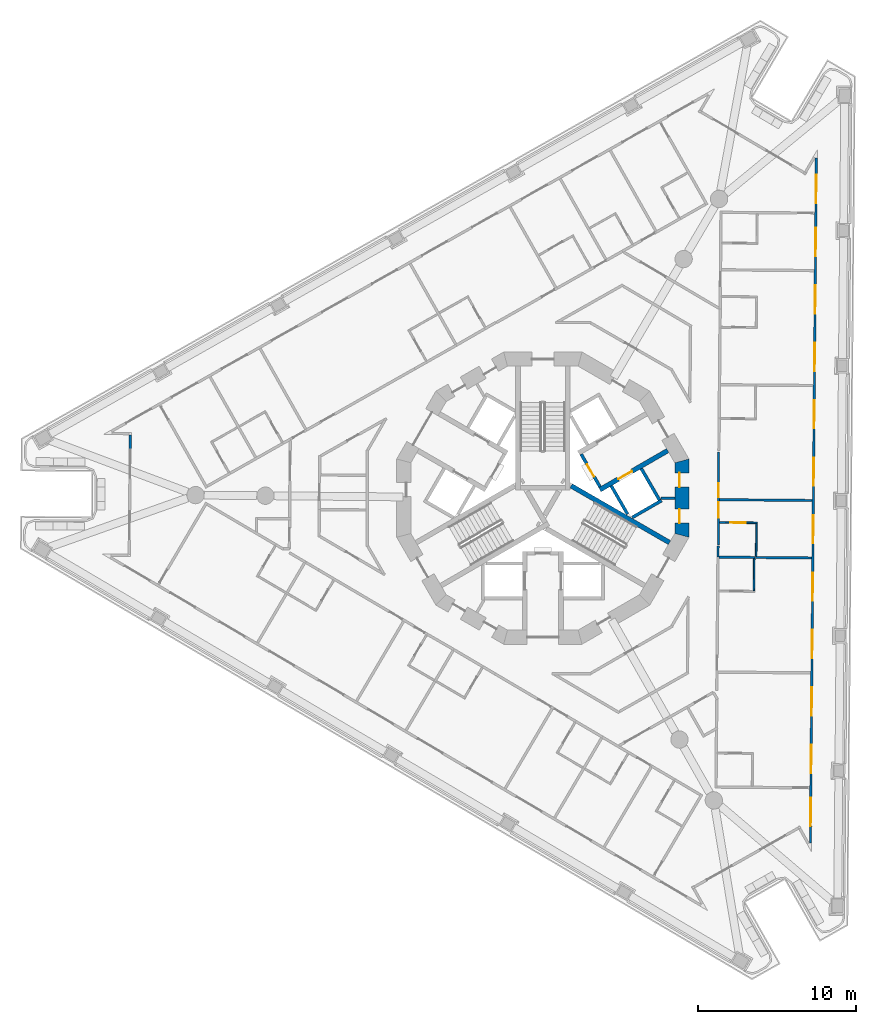
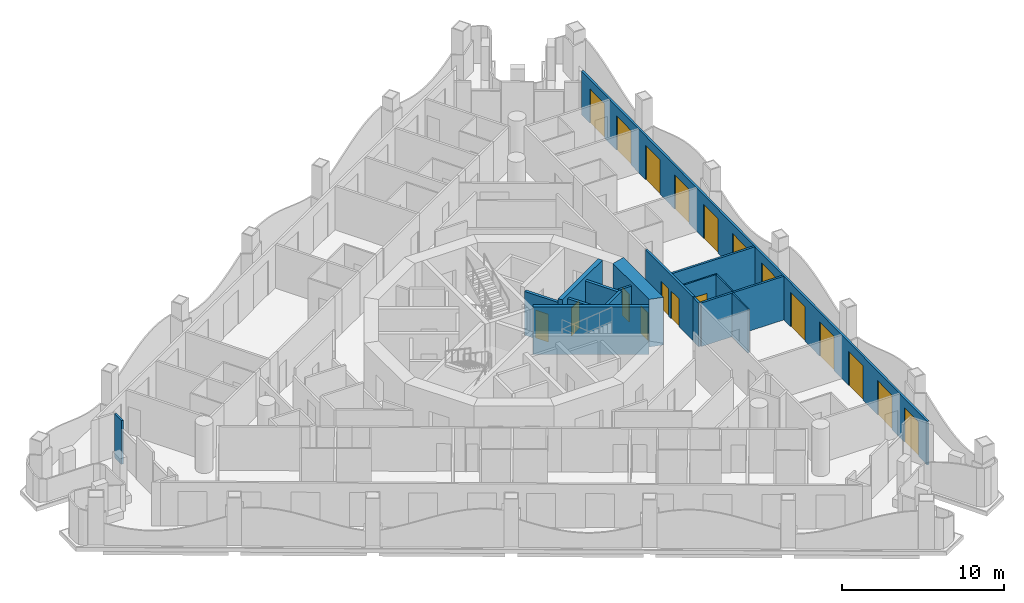
# One storey, part 6 of 17: 19 doors, 18 walls, 19 openings.
"""IFC4 building model written with IfcOpenShell, lengths in metres."""

from ifc_helpers import new_model, si_unit, direction, frame, frame_2d, origin, place, context, subcontext, project, spatial, polyline, rectangle, outline, extrude, material, layer, layer_set, type_object, element, fill, save


model = new_model("IFC4")

# Units and contexts
model_context = context("Model", 3, precision=1e-05, world=origin(), true_north=direction((0.0, 1.0)))
body_context = subcontext(model_context, "Body", "Model", "MODEL_VIEW")
ifc_project = project(units=[si_unit("LENGTHUNIT", "METRE"), si_unit("AREAUNIT", "SQUARE_METRE"), si_unit("VOLUMEUNIT", "CUBIC_METRE"), si_unit("PLANEANGLEUNIT", "RADIAN"), si_unit("MASSUNIT", "GRAM", prefix="KILO")], contexts=[model_context])

# Site, building, storey
site_placement = place(None, origin())
site = spatial("IfcSite", under=ifc_project, at=site_placement, CompositionType="ELEMENT")
building_placement = place(site_placement, origin())
building = spatial("IfcBuilding", under=site, at=building_placement, Name="Trine Commons Tower", CompositionType="ELEMENT")
storey_placement = place(building_placement, frame((0.0, 0.0, 168.300048828125)))
storey = spatial("IfcBuildingStorey", under=building, at=storey_placement, Name="L43", CompositionType="ELEMENT", Elevation=168.300048828125)

# Walls
ifc_material_1 = material(Name="Plasterboard partition on steel studs", Category="steel")
ifc_layer_1 = layer(ifc_material_1, 0.14990234375)
ifc_layer_set_1 = layer_set([ifc_layer_1], Name="Plasterboard partition on steel studs")
wall_type_1 = type_object("IfcWallType", Name="Core room partition 150 mm, EI 60", PredefinedType="PARTITIONING", material=ifc_layer_set_1)
wall_1_placement = place(storey_placement, frame((88.373046875, 62.5, 0.0), z_axis=(0.0, 0.0, 1.0), x_axis=(-1.0, 0.0, 0.0)))
element("IfcWall", 1, at=wall_1_placement, inside=storey, type_object=wall_type_1, Name="Core room partition L43", PredefinedType="PARTITIONING", context=body_context, shape_type="SweptSolid", body=[
    extrude(rectangle(XDim=0.882080078125, YDim=0.14990234375, at=frame_2d((0.44091796875, 0.0))), origin(), (0.0, 0.0, 1.0), 3.300048828125),
])
ifc_material_2 = material(Name="Aluminium-framed insulated wall panel", Category="aluminium")
ifc_layer_2 = layer(ifc_material_2, 0.14990234375)
ifc_layer_set_2 = layer_set([ifc_layer_2], Name="Aluminium-framed insulated wall panel")
wall_type_2 = type_object("IfcWallType", Name="Glazed frame wall 150, EI 60", PredefinedType="SOLIDWALL", material=ifc_layer_set_2)
wall_2_placement = place(storey_placement, frame((53.816162109375, 65.628662109375, 0.0), z_axis=(0.0, 0.0, 1.0), x_axis=(0.008788723053, 0.999961378428, 0.0)))
element("IfcWall", 2, at=wall_2_placement, inside=storey, type_object=wall_type_2, Name="Glazed frame wall P1.5", PredefinedType="SOLIDWALL", context=body_context, shape_type="SweptSolid", body=[
    extrude(outline(polyline([(0.889892578125, 0.074951171875), (0.0, 0.074951171875), (0.0, -0.074951171875), (0.889892578125, -0.074951171875), (0.889892578125, 0.074951171875)])), origin(), (0.0, 0.0, 1.0), 3.300048828125),
])

# Wall, openings, doors
wall_3_placement = place(storey_placement, frame((97.36279296875, 84.232421875, 0.0), z_axis=(0.0, 0.0, 1.0), x_axis=(-0.00872447395, -0.999961941053, 0.0)))
wall_3 = element("IfcWall", 3, at=wall_3_placement, inside=storey, type_object=wall_type_2, Name="Glazed frame wall F2", PredefinedType="SOLIDWALL", context=body_context, shape_type="SweptSolid", body=[
    extrude(outline(polyline([(0.1494140625, 0.074951171875), (0.1494140625, -0.074951171875), (43.616943359375, -0.074951171875), (43.616943359375, 0.074951171875), (0.1494140625, 0.074951171875)])), origin(), (0.0, 0.0, 1.0), 3.300048828125),
])
opening_1_placement = place(wall_3_placement, frame((1.2236328125, 0.0, 0.0)))
opening_1 = element("IfcOpeningElement", 4, at=opening_1_placement, cuts=wall_3, Name="Opening BD-5F2-01", PredefinedType="OPENING", context=body_context, shape_type="SweptSolid", body=[
    extrude(rectangle(XDim=1.800048828125, YDim=2.60009765625, at=frame_2d((0.89990234375, 1.300048828125))), frame((0.0, 0.0849609375, 0.0), z_axis=(0.0, -1.0, 0.0), x_axis=(1.0, 0.0, 0.0)), (0.0, 0.0, 1.0), 0.169921875),
])
opening_2_placement = place(wall_3_placement, frame((4.57080078125, 0.0, 0.0)))
opening_2 = element("IfcOpeningElement", 5, at=opening_2_placement, cuts=wall_3, Name="Opening BD-5F2-02", PredefinedType="OPENING", context=body_context, shape_type="SweptSolid", body=[
    extrude(rectangle(XDim=1.800048828125, YDim=2.60009765625, at=frame_2d((0.89990234375, 1.300048828125))), frame((0.0, 0.0849609375, 0.0), z_axis=(0.0, -1.0, 0.0), x_axis=(1.0, 0.0, 0.0)), (0.0, 0.0, 1.0), 0.169921875),
])
opening_3_placement = place(wall_3_placement, frame((8.218017578125, 0.0, 0.0)))
opening_3 = element("IfcOpeningElement", 6, at=opening_3_placement, cuts=wall_3, Name="Opening BD-5F2-03", PredefinedType="OPENING", context=body_context, shape_type="SweptSolid", body=[
    extrude(rectangle(XDim=1.800048828125, YDim=2.60009765625, at=frame_2d((0.89990234375, 1.300048828125))), frame((0.0, 0.0849609375, 0.0), z_axis=(0.0, -1.0, 0.0), x_axis=(1.0, 0.0, 0.0)), (0.0, 0.0, 1.0), 0.169921875),
])
opening_4_placement = place(wall_3_placement, frame((11.865234375, 0.0, 0.0)))
opening_4 = element("IfcOpeningElement", 7, at=opening_4_placement, cuts=wall_3, Name="Opening BD-5F2-04", PredefinedType="OPENING", context=body_context, shape_type="SweptSolid", body=[
    extrude(rectangle(XDim=1.800048828125, YDim=2.60009765625, at=frame_2d((0.89990234375, 1.300048828125))), frame((0.0, 0.0849609375, 0.0), z_axis=(0.0, -1.0, 0.0), x_axis=(1.0, 0.0, 0.0)), (0.0, 0.0, 1.0), 0.169921875),
])
opening_5_placement = place(wall_3_placement, frame((15.512451171875, 0.0, 0.0)))
opening_5 = element("IfcOpeningElement", 8, at=opening_5_placement, cuts=wall_3, Name="Opening BD-5F2-05", PredefinedType="OPENING", context=body_context, shape_type="SweptSolid", body=[
    extrude(rectangle(XDim=1.800048828125, YDim=2.60009765625, at=frame_2d((0.89990234375, 1.300048828125))), frame((0.0, 0.0849609375, 0.0), z_axis=(0.0, -1.0, 0.0), x_axis=(1.0, 0.0, 0.0)), (0.0, 0.0, 1.0), 0.169921875),
])
opening_6_placement = place(wall_3_placement, frame((19.15966796875, 0.0, 0.0)))
opening_6 = element("IfcOpeningElement", 9, at=opening_6_placement, cuts=wall_3, Name="Opening BD-5F2-06", PredefinedType="OPENING", context=body_context, shape_type="SweptSolid", body=[
    extrude(rectangle(XDim=1.800048828125, YDim=2.60009765625, at=frame_2d((0.89990234375, 1.300048828125))), frame((0.0, 0.0849609375, 0.0), z_axis=(0.0, -1.0, 0.0), x_axis=(1.0, 0.0, 0.0)), (0.0, 0.0, 1.0), 0.169921875),
])
opening_7_placement = place(wall_3_placement, frame((22.806884765625, 0.0, 0.0)))
opening_7 = element("IfcOpeningElement", 10, at=opening_7_placement, cuts=wall_3, Name="Opening BD-5F2-07", PredefinedType="OPENING", context=body_context, shape_type="SweptSolid", body=[
    extrude(rectangle(XDim=1.800048828125, YDim=2.60009765625, at=frame_2d((0.89990234375, 1.300048828125))), frame((0.0, 0.0849609375, 0.0), z_axis=(0.0, -1.0, 0.0), x_axis=(1.0, 0.0, 0.0)), (0.0, 0.0, 1.0), 0.169921875),
])
opening_8_placement = place(wall_3_placement, frame((26.4541015625, 0.0, 0.0)))
opening_8 = element("IfcOpeningElement", 11, at=opening_8_placement, cuts=wall_3, Name="Opening BD-5F2-08", PredefinedType="OPENING", context=body_context, shape_type="SweptSolid", body=[
    extrude(rectangle(XDim=1.800048828125, YDim=2.60009765625, at=frame_2d((0.89990234375, 1.300048828125))), frame((0.0, 0.0849609375, 0.0), z_axis=(0.0, -1.0, 0.0), x_axis=(1.0, 0.0, 0.0)), (0.0, 0.0, 1.0), 0.169921875),
])
opening_9_placement = place(wall_3_placement, frame((30.101318359375, 0.0, 0.0)))
opening_9 = element("IfcOpeningElement", 12, at=opening_9_placement, cuts=wall_3, Name="Opening BD-5F2-09", PredefinedType="OPENING", context=body_context, shape_type="SweptSolid", body=[
    extrude(rectangle(XDim=1.800048828125, YDim=2.60009765625, at=frame_2d((0.89990234375, 1.300048828125))), frame((0.0, 0.0849609375, 0.0), z_axis=(0.0, -1.0, 0.0), x_axis=(1.0, 0.0, 0.0)), (0.0, 0.0, 1.0), 0.169921875),
])
opening_10_placement = place(wall_3_placement, frame((33.748291015625, 0.0, 0.0)))
opening_10 = element("IfcOpeningElement", 13, at=opening_10_placement, cuts=wall_3, Name="Opening BD-5F2-10", PredefinedType="OPENING", context=body_context, shape_type="SweptSolid", body=[
    extrude(rectangle(XDim=1.800048828125, YDim=2.60009765625, at=frame_2d((0.89990234375, 1.300048828125))), frame((0.0, 0.0849609375, 0.0), z_axis=(0.0, -1.0, 0.0), x_axis=(1.0, 0.0, 0.0)), (0.0, 0.0, 1.0), 0.169921875),
])
opening_11_placement = place(wall_3_placement, frame((37.3955078125, 0.0, 0.0)))
opening_11 = element("IfcOpeningElement", 14, at=opening_11_placement, cuts=wall_3, Name="Opening BD-5F2-11", PredefinedType="OPENING", context=body_context, shape_type="SweptSolid", body=[
    extrude(rectangle(XDim=1.800048828125, YDim=2.60009765625, at=frame_2d((0.89990234375, 1.300048828125))), frame((0.0, 0.0849609375, 0.0), z_axis=(0.0, -1.0, 0.0), x_axis=(1.0, 0.0, 0.0)), (0.0, 0.0, 1.0), 0.169921875),
])
opening_12_placement = place(wall_3_placement, frame((40.742919921875, 0.0, 0.0)))
opening_12 = element("IfcOpeningElement", 15, at=opening_12_placement, cuts=wall_3, Name="Opening BD-5F2-12", PredefinedType="OPENING", context=body_context, shape_type="SweptSolid", body=[
    extrude(rectangle(XDim=1.800048828125, YDim=2.60009765625, at=frame_2d((0.89990234375, 1.300048828125))), frame((0.0, 0.0849609375, 0.0), z_axis=(0.0, -1.0, 0.0), x_axis=(1.0, 0.0, 0.0)), (0.0, 0.0, 1.0), 0.169921875),
])
ifc_material_3 = material(Name="Anodised aluminium frame with double glazing", Category="aluminium")
door_type_1 = type_object("IfcDoorType", Name="Sliding loggia door 1800x2600", OperationType="SLIDING_TO_LEFT", PredefinedType="DOOR", material=ifc_material_3)
door_1_placement = place(opening_1_placement, origin())
door_1 = element("IfcDoor", 16, at=door_1_placement, inside=storey, type_object=door_type_1, Name="Loggia door F2 1", OperationType="SLIDING_TO_LEFT", OverallHeight=2.60009765625, OverallWidth=1.800048828125, PredefinedType="DOOR", context=body_context, shape_type="SweptSolid", body=[
    extrude(rectangle(XDim=1.800048828125, YDim=2.60009765625, at=frame_2d((0.89990234375, 1.300048828125))), frame((0.0, 0.02490234375, 0.0), z_axis=(0.0, -1.0, 0.0), x_axis=(1.0, 0.0, 0.0)), (0.0, 0.0, 1.0), 0.050048828125),
])
fill(opening_1, door_1)
door_2_placement = place(opening_2_placement, origin())
door_2 = element("IfcDoor", 17, at=door_2_placement, inside=storey, type_object=door_type_1, Name="Loggia door F2 2", OperationType="SLIDING_TO_LEFT", OverallHeight=2.60009765625, OverallWidth=1.800048828125, PredefinedType="DOOR", context=body_context, shape_type="SweptSolid", body=[
    extrude(rectangle(XDim=1.800048828125, YDim=2.60009765625, at=frame_2d((0.89990234375, 1.300048828125))), frame((0.0, 0.02490234375, 0.0), z_axis=(0.0, -1.0, 0.0), x_axis=(1.0, 0.0, 0.0)), (0.0, 0.0, 1.0), 0.050048828125),
])
fill(opening_2, door_2)
door_3_placement = place(opening_3_placement, origin())
door_3 = element("IfcDoor", 18, at=door_3_placement, inside=storey, type_object=door_type_1, Name="Loggia door F2 3", OperationType="SLIDING_TO_LEFT", OverallHeight=2.60009765625, OverallWidth=1.800048828125, PredefinedType="DOOR", context=body_context, shape_type="SweptSolid", body=[
    extrude(rectangle(XDim=1.800048828125, YDim=2.60009765625, at=frame_2d((0.89990234375, 1.300048828125))), frame((0.0, 0.02490234375, 0.0), z_axis=(0.0, -1.0, 0.0), x_axis=(1.0, 0.0, 0.0)), (0.0, 0.0, 1.0), 0.050048828125),
])
fill(opening_3, door_3)
door_4_placement = place(opening_4_placement, origin())
door_4 = element("IfcDoor", 19, at=door_4_placement, inside=storey, type_object=door_type_1, Name="Loggia door F2 4", OperationType="SLIDING_TO_LEFT", OverallHeight=2.60009765625, OverallWidth=1.800048828125, PredefinedType="DOOR", context=body_context, shape_type="SweptSolid", body=[
    extrude(rectangle(XDim=1.800048828125, YDim=2.60009765625, at=frame_2d((0.89990234375, 1.300048828125))), frame((0.0, 0.02490234375, 0.0), z_axis=(0.0, -1.0, 0.0), x_axis=(1.0, 0.0, 0.0)), (0.0, 0.0, 1.0), 0.050048828125),
])
fill(opening_4, door_4)
door_5_placement = place(opening_5_placement, origin())
door_5 = element("IfcDoor", 20, at=door_5_placement, inside=storey, type_object=door_type_1, Name="Loggia door F2 5", OperationType="SLIDING_TO_LEFT", OverallHeight=2.60009765625, OverallWidth=1.800048828125, PredefinedType="DOOR", context=body_context, shape_type="SweptSolid", body=[
    extrude(rectangle(XDim=1.800048828125, YDim=2.60009765625, at=frame_2d((0.89990234375, 1.300048828125))), frame((0.0, 0.02490234375, 0.0), z_axis=(0.0, -1.0, 0.0), x_axis=(1.0, 0.0, 0.0)), (0.0, 0.0, 1.0), 0.050048828125),
])
fill(opening_5, door_5)
door_6_placement = place(opening_6_placement, origin())
door_6 = element("IfcDoor", 21, at=door_6_placement, inside=storey, type_object=door_type_1, Name="Loggia door F2 6", OperationType="SLIDING_TO_LEFT", OverallHeight=2.60009765625, OverallWidth=1.800048828125, PredefinedType="DOOR", context=body_context, shape_type="SweptSolid", body=[
    extrude(rectangle(XDim=1.800048828125, YDim=2.60009765625, at=frame_2d((0.89990234375, 1.300048828125))), frame((0.0, 0.02490234375, 0.0), z_axis=(0.0, -1.0, 0.0), x_axis=(1.0, 0.0, 0.0)), (0.0, 0.0, 1.0), 0.050048828125),
])
fill(opening_6, door_6)
door_7_placement = place(opening_7_placement, origin())
door_7 = element("IfcDoor", 22, at=door_7_placement, inside=storey, type_object=door_type_1, Name="Loggia door F2 7", OperationType="SLIDING_TO_LEFT", OverallHeight=2.60009765625, OverallWidth=1.800048828125, PredefinedType="DOOR", context=body_context, shape_type="SweptSolid", body=[
    extrude(rectangle(XDim=1.800048828125, YDim=2.60009765625, at=frame_2d((0.89990234375, 1.300048828125))), frame((0.0, 0.02490234375, 0.0), z_axis=(0.0, -1.0, 0.0), x_axis=(1.0, 0.0, 0.0)), (0.0, 0.0, 1.0), 0.050048828125),
])
fill(opening_7, door_7)
door_8_placement = place(opening_8_placement, origin())
door_8 = element("IfcDoor", 23, at=door_8_placement, inside=storey, type_object=door_type_1, Name="Loggia door F2 8", OperationType="SLIDING_TO_LEFT", OverallHeight=2.60009765625, OverallWidth=1.800048828125, PredefinedType="DOOR", context=body_context, shape_type="SweptSolid", body=[
    extrude(rectangle(XDim=1.800048828125, YDim=2.60009765625, at=frame_2d((0.89990234375, 1.300048828125))), frame((0.0, 0.02490234375, 0.0), z_axis=(0.0, -1.0, 0.0), x_axis=(1.0, 0.0, 0.0)), (0.0, 0.0, 1.0), 0.050048828125),
])
fill(opening_8, door_8)
door_9_placement = place(opening_9_placement, origin())
door_9 = element("IfcDoor", 24, at=door_9_placement, inside=storey, type_object=door_type_1, Name="Loggia door F2 9", OperationType="SLIDING_TO_LEFT", OverallHeight=2.60009765625, OverallWidth=1.800048828125, PredefinedType="DOOR", context=body_context, shape_type="SweptSolid", body=[
    extrude(rectangle(XDim=1.800048828125, YDim=2.60009765625, at=frame_2d((0.89990234375, 1.300048828125))), frame((0.0, 0.02490234375, 0.0), z_axis=(0.0, -1.0, 0.0), x_axis=(1.0, 0.0, 0.0)), (0.0, 0.0, 1.0), 0.050048828125),
])
fill(opening_9, door_9)
door_10_placement = place(opening_10_placement, origin())
door_10 = element("IfcDoor", 25, at=door_10_placement, inside=storey, type_object=door_type_1, Name="Loggia door F2 10", OperationType="SLIDING_TO_LEFT", OverallHeight=2.60009765625, OverallWidth=1.800048828125, PredefinedType="DOOR", context=body_context, shape_type="SweptSolid", body=[
    extrude(rectangle(XDim=1.800048828125, YDim=2.60009765625, at=frame_2d((0.89990234375, 1.300048828125))), frame((0.0, 0.02490234375, 0.0), z_axis=(0.0, -1.0, 0.0), x_axis=(1.0, 0.0, 0.0)), (0.0, 0.0, 1.0), 0.050048828125),
])
fill(opening_10, door_10)
door_11_placement = place(opening_11_placement, origin())
door_11 = element("IfcDoor", 26, at=door_11_placement, inside=storey, type_object=door_type_1, Name="Loggia door F2 11", OperationType="SLIDING_TO_LEFT", OverallHeight=2.60009765625, OverallWidth=1.800048828125, PredefinedType="DOOR", context=body_context, shape_type="SweptSolid", body=[
    extrude(rectangle(XDim=1.800048828125, YDim=2.60009765625, at=frame_2d((0.89990234375, 1.300048828125))), frame((0.0, 0.02490234375, 0.0), z_axis=(0.0, -1.0, 0.0), x_axis=(1.0, 0.0, 0.0)), (0.0, 0.0, 1.0), 0.050048828125),
])
fill(opening_11, door_11)
door_12_placement = place(opening_12_placement, origin())
door_12 = element("IfcDoor", 27, at=door_12_placement, inside=storey, type_object=door_type_1, Name="Loggia door F2 12", OperationType="SLIDING_TO_LEFT", OverallHeight=2.60009765625, OverallWidth=1.800048828125, PredefinedType="DOOR", context=body_context, shape_type="SweptSolid", body=[
    extrude(rectangle(XDim=1.800048828125, YDim=2.60009765625, at=frame_2d((0.89990234375, 1.300048828125))), frame((0.0, 0.02490234375, 0.0), z_axis=(0.0, -1.0, 0.0), x_axis=(1.0, 0.0, 0.0)), (0.0, 0.0, 1.0), 0.050048828125),
])
fill(opening_12, door_12)

# Wall, opening, door
ifc_material_4 = material(Name="Fire-rated gypsum shaft wall system")
ifc_layer_3 = layer(ifc_material_4, 0.199951171875)
ifc_layer_set_3 = layer_set([ifc_layer_3], Name="Fire-rated gypsum shaft wall system")
wall_type_3 = type_object("IfcWallType", Name="Lobby end wall 200 mm, EI 120", PredefinedType="PARTITIONING", material=ifc_layer_set_3)
wall_4_placement = place(storey_placement, frame((83.631103515625, 63.2109375, 0.0), z_axis=(0.0, 0.0, 1.0), x_axis=(-0.50012165622, 0.865955154139, 0.0)))
wall_4 = element("IfcWall", 28, at=wall_4_placement, inside=storey, type_object=wall_type_3, Name="Lobby end wall L43", PredefinedType="PARTITIONING", context=body_context, shape_type="SweptSolid", body=[
    extrude(rectangle(XDim=2.39990234375, YDim=0.199951171875, at=frame_2d((1.199951171875, 0.0))), origin(), (0.0, 0.0, 1.0), 3.300048828125),
])
opening_13_placement = place(wall_4_placement, frame((0.749755859375, 0.0, 0.0)))
opening_13 = element("IfcOpeningElement", 29, at=opening_13_placement, cuts=wall_4, Name="Opening K10.05", PredefinedType="OPENING", context=body_context, shape_type="SweptSolid", body=[
    extrude(rectangle(XDim=0.89990234375, YDim=2.10009765625, at=frame_2d((0.449951171875, 1.050048828125))), frame((0.0, 0.10986328125, 0.0), z_axis=(0.0, -1.0, 0.0), x_axis=(1.0, 0.0, 0.0)), (0.0, 0.0, 1.0), 0.219970703125),
])
ifc_material_5 = material(Name="Steel door leaf, fire-rated", Category="steel")
door_type_2 = type_object("IfcDoorType", Name="Riser access door, single leaf 900 x 2100, FD60", OperationType="SINGLE_SWING_LEFT", PredefinedType="DOOR", material=ifc_material_5)
door_13_placement = place(opening_13_placement, frame((0.89990234375, 0.0, 0.0), z_axis=(0.0, 0.0, 1.0), x_axis=(-1.0, 0.0, 0.0)))
door_13 = element("IfcDoor", 30, at=door_13_placement, inside=storey, type_object=door_type_2, Name="Riser door, Electrical riser L43", OperationType="SINGLE_SWING_LEFT", OverallHeight=2.10009765625, OverallWidth=0.89990234375, PredefinedType="DOOR", context=body_context, shape_type="SweptSolid", body=[
    extrude(rectangle(XDim=0.89990234375, YDim=2.10009765625, at=frame_2d((0.449951171875, 1.050048828125))), frame((0.0, 0.02490234375, 0.0), z_axis=(0.0, -1.0, 0.0), x_axis=(1.0, 0.0, 0.0)), (0.0, 0.0, 1.0), 0.050048828125),
])
fill(opening_13, door_13)

ifc_material_6 = material(Name="Concrete C60/75", Category="concrete")
ifc_layer_4 = layer(ifc_material_6, 0.300048828125)
ifc_layer_set_4 = layer_set([ifc_layer_4], Name="Concrete C60/75")
wall_type_4 = type_object("IfcWallType", Name="RC shear wall 300 mm, C60/75", PredefinedType="SHEAR", material=ifc_layer_set_4)
wall_5_placement = place(storey_placement, frame((83.618896484375, 63.031005859375, 0.0), z_axis=(0.0, 0.0, 1.0), x_axis=(0.866080953719, 0.499903772346, 0.0)))
wall_5 = element("IfcWall", 31, at=wall_5_placement, inside=storey, type_object=wall_type_4, Name="Core cross wall SWB-06 L43", PredefinedType="SHEAR", context=body_context, shape_type="SweptSolid", body=[
    extrude(rectangle(XDim=4.97314453125, YDim=0.300048828125, at=frame_2d((2.486572265625, 0.0))), origin(), (0.0, 0.0, 1.0), 3.599853515625),
])
opening_14_placement = place(wall_5_placement, frame((1.350341796875, 0.0, 0.0)))
opening_14 = element("IfcOpeningElement", 32, at=opening_14_placement, cuts=wall_5, Name="Opening LD6", PredefinedType="OPENING", context=body_context, shape_type="SweptSolid", body=[
    extrude(rectangle(XDim=1.0, YDim=2.10009765625, at=frame_2d((0.5, 1.050048828125))), frame((0.0, 0.159912109375, 0.0), z_axis=(0.0, -1.0, 0.0), x_axis=(1.0, 0.0, 0.0)), (0.0, 0.0, 1.0), 0.320068359375),
])
ifc_material_7 = material(Name="Stainless steel sliding door leaves", Category="steel")
door_type_3 = type_object("IfcDoorType", Name="Lift landing door, centre-opening sliding 1000 x 2100, FD90", OperationType="DOUBLE_DOOR_SLIDING", PredefinedType="DOOR", material=ifc_material_7)
door_14_placement = place(opening_14_placement, origin())
door_14 = element("IfcDoor", 33, at=door_14_placement, inside=storey, type_object=door_type_3, Name="Lift landing door HR2 L43", OperationType="DOUBLE_DOOR_SLIDING", OverallHeight=2.10009765625, OverallWidth=1.0, PredefinedType="DOOR", context=body_context, shape_type="SweptSolid", body=[
    extrude(rectangle(XDim=1.0, YDim=2.10009765625, at=frame_2d((0.5, 1.050048828125))), frame((0.0, 0.02490234375, 0.0), z_axis=(0.0, -1.0, 0.0), x_axis=(1.0, 0.0, 0.0)), (0.0, 0.0, 1.0), 0.050048828125),
])
fill(opening_14, door_14)

# Wall
wall_6_placement = place(storey_placement, frame((81.800048828125, 63.280029296875, 0.0), z_axis=(0.0, 0.0, 1.0), x_axis=(0.866028135082, -0.499995269223, 0.0)))
element("IfcWall", 34, at=wall_6_placement, inside=storey, type_object=wall_type_4, Name="Core cross wall SWB-18 L43", PredefinedType="SHEAR", context=body_context, shape_type="SweptSolid", body=[
    extrude(rectangle(XDim=7.2041015625, YDim=0.300048828125, at=frame_2d((3.60205078125, 0.0))), origin(), (0.0, 0.0, 1.0), 3.599853515625),
])

# Wall, openings, doors
ifc_layer_5 = layer(ifc_material_6, 0.89990234375)
ifc_layer_set_5 = layer_set([ifc_layer_5], Name="Concrete C60/75")
wall_type_5 = type_object("IfcWallType", Name="RC shear wall 900 mm, C60/75", PredefinedType="SHEAR", material=ifc_layer_set_5)
wall_7_placement = place(storey_placement, frame((88.822998046875, 60.015380859375, 0.0), z_axis=(0.0, 0.0, 1.0), x_axis=(0.0, 1.0, 0.0)))
wall_7 = element("IfcWall", 35, at=wall_7_placement, inside=storey, type_object=wall_type_5, Name="Core wall CWE-01 L43", PredefinedType="SHEAR", context=body_context, shape_type="SweptSolid", body=[
    extrude(outline(polyline([(0.0, -0.449951171875), (4.969482421875, -0.449951171875), (4.728271484375, 0.449951171875), (0.2412109375, 0.449951171875), (0.0, -0.449951171875)])), origin(), (0.0, 0.0, 1.0), 3.599853515625),
])
opening_15_placement = place(wall_7_placement, frame((0.893798828125, 0.0, 0.0)))
opening_15 = element("IfcOpeningElement", 36, at=opening_15_placement, cuts=wall_7, Name="Opening K10.10", PredefinedType="OPENING", context=body_context, shape_type="SweptSolid", body=[
    extrude(rectangle(XDim=0.89990234375, YDim=2.10009765625, at=frame_2d((0.449951171875, 1.050048828125))), frame((0.0, 0.4599609375, 0.0), z_axis=(0.0, -1.0, 0.0), x_axis=(1.0, 0.0, 0.0)), (0.0, 0.0, 1.0), 0.919921875),
])
opening_16_placement = place(wall_7_placement, frame((3.184814453125, 0.0, 0.0)))
opening_16 = element("IfcOpeningElement", 37, at=opening_16_placement, cuts=wall_7, Name="Opening K10.11", PredefinedType="OPENING", context=body_context, shape_type="SweptSolid", body=[
    extrude(rectangle(XDim=0.89990234375, YDim=2.10009765625, at=frame_2d((0.449951171875, 1.050048828125))), frame((0.0, 0.4599609375, 0.0), z_axis=(0.0, -1.0, 0.0), x_axis=(1.0, 0.0, 0.0)), (0.0, 0.0, 1.0), 0.919921875),
])
door_type_4 = type_object("IfcDoorType", Name="Core room door, single leaf 900 x 2100, FD30S", OperationType="SINGLE_SWING_LEFT", PredefinedType="DOOR", material=ifc_material_5)
door_15_placement = place(opening_15_placement, origin())
door_15 = element("IfcDoor", 38, at=door_15_placement, inside=storey, type_object=door_type_4, Name="Door to Cleaner's store L43", OperationType="SINGLE_SWING_LEFT", OverallHeight=2.10009765625, OverallWidth=0.89990234375, PredefinedType="DOOR", context=body_context, shape_type="SweptSolid", body=[
    extrude(rectangle(XDim=0.89990234375, YDim=2.10009765625, at=frame_2d((0.449951171875, 1.050048828125))), frame((0.0, 0.1748046875, 0.0), z_axis=(0.0, -1.0, 0.0), x_axis=(1.0, 0.0, 0.0)), (0.0, 0.0, 1.0), 0.050048828125),
])
fill(opening_15, door_15)
door_16_placement = place(opening_16_placement, origin())
door_16 = element("IfcDoor", 39, at=door_16_placement, inside=storey, type_object=door_type_4, Name="Door to Accessible WC L43", OperationType="SINGLE_SWING_RIGHT", OverallHeight=2.10009765625, OverallWidth=0.89990234375, PredefinedType="DOOR", context=body_context, shape_type="SweptSolid", body=[
    extrude(rectangle(XDim=0.89990234375, YDim=2.10009765625, at=frame_2d((0.449951171875, 1.050048828125))), frame((0.0, 0.1748046875, 0.0), z_axis=(0.0, -1.0, 0.0), x_axis=(1.0, 0.0, 0.0)), (0.0, 0.0, 1.0), 0.050048828125),
])
fill(opening_16, door_16)

# Walls
ifc_layer_6 = layer(ifc_material_4, 0.199951171875)
ifc_layer_set_6 = layer_set([ifc_layer_6], Name="Fire-rated gypsum shaft wall system")
wall_type_6 = type_object("IfcWallType", Name="Shaft wall 200 mm, EI 120", PredefinedType="PARTITIONING", material=ifc_layer_set_6)
wall_8_placement = place(storey_placement, frame((84.343994140625, 63.27587890625, 0.0), z_axis=(0.0, 0.0, 1.0), x_axis=(0.500271688072, -0.86586848777, 0.0)))
element("IfcWall", 40, at=wall_8_placement, inside=storey, type_object=wall_type_6, Name="Shaft wall L43", PredefinedType="PARTITIONING", context=body_context, shape_type="SweptSolid", body=[
    extrude(rectangle(XDim=2.064697265625, YDim=0.199951171875, at=frame_2d((1.0322265625, 0.0))), origin(), (0.0, 0.0, 1.0), 3.300048828125),
])
wall_9_placement = place(storey_placement, frame((85.675048828125, 61.27392578125, 0.0), z_axis=(0.0, 0.0, 1.0), x_axis=(0.866102336459, 0.499866725018, 0.0)))
element("IfcWall", 41, at=wall_9_placement, inside=storey, type_object=wall_type_6, Name="Shaft wall L43", PredefinedType="PARTITIONING", context=body_context, shape_type="SweptSolid", body=[
    extrude(rectangle(XDim=2.1484375, YDim=0.199951171875, at=frame_2d((1.07421875, 0.0))), origin(), (0.0, 0.0, 1.0), 3.300048828125),
])
wall_10_placement = place(storey_placement, frame((86.2490234375, 64.3759765625, 0.0), z_axis=(0.0, 0.0, 1.0), x_axis=(0.500136062276, -0.86594683394, 0.0)))
element("IfcWall", 42, at=wall_10_placement, inside=storey, type_object=wall_type_6, Name="Shaft wall L43", PredefinedType="PARTITIONING", context=body_context, shape_type="SweptSolid", body=[
    extrude(rectangle(XDim=2.299072265625, YDim=0.199951171875, at=frame_2d((1.1494140625, 0.0))), origin(), (0.0, 0.0, 1.0), 3.300048828125),
])
ifc_material_8 = material(Name="Gypsum plasterboard on steel stud", Category="steel")
ifc_layer_7 = layer(ifc_material_8, 0.14990234375)
ifc_layer_set_7 = layer_set([ifc_layer_7], Name="Gypsum plasterboard on steel stud")
wall_type_7 = type_object("IfcWallType", Name="Unit and corridor wall 150 mm, EI 60", PredefinedType="PARTITIONING", material=ifc_layer_set_7)
wall_11_placement = place(storey_placement, frame((91.115966796875, 58.751953125, 0.0), z_axis=(0.0, 0.0, 1.0), x_axis=(0.008511778806, 0.999963774155, 0.0)))
element("IfcWall", 43, at=wall_11_placement, inside=storey, type_object=wall_type_7, Name="Partition 117", PredefinedType="PARTITIONING", context=body_context, shape_type="SweptSolid", body=[
    extrude(rectangle(XDim=0.717041015625, YDim=0.14990234375, at=frame_2d((0.3583984375, 0.0))), origin(), (0.0, 0.0, 1.0), 3.300048828125),
])
wall_12_placement = place(storey_placement, frame((91.19091796875, 58.75537109375, 0.0), z_axis=(0.0, 0.0, 1.0), x_axis=(0.999958547359, -0.009105139424, 0.0)))
element("IfcWall", 44, at=wall_12_placement, inside=storey, type_object=wall_type_7, Name="Partition 118", PredefinedType="PARTITIONING", context=body_context, shape_type="SweptSolid", body=[
    extrude(rectangle(XDim=2.279052734375, YDim=0.14990234375, at=frame_2d((1.1396484375, 0.0))), origin(), (0.0, 0.0, 1.0), 3.300048828125),
])

# Wall, openings, doors
wall_13_placement = place(storey_placement, frame((91.14794921875, 59.512939453125, 0.0), z_axis=(0.0, 0.0, 1.0), x_axis=(0.0, 1.0, 0.0)))
wall_13 = element("IfcWall", 45, at=wall_13_placement, inside=storey, type_object=wall_type_7, Name="Partition 119", PredefinedType="PARTITIONING", context=body_context, shape_type="SweptSolid", body=[
    extrude(rectangle(XDim=5.899169921875, YDim=0.14990234375, at=frame_2d((2.94970703125, 0.0))), origin(), (0.0, 0.0, 1.0), 3.300048828125),
])
opening_17_placement = place(wall_13_placement, frame((3.0400390625, 0.0, 0.0)))
opening_17 = element("IfcOpeningElement", 46, at=opening_17_placement, cuts=wall_13, Name="Opening D-5A15", PredefinedType="OPENING", context=body_context, shape_type="SweptSolid", body=[
    extrude(rectangle(XDim=0.89990234375, YDim=2.10009765625, at=frame_2d((0.449951171875, 1.050048828125))), frame((0.0, 0.0849609375, 0.0), z_axis=(0.0, -1.0, 0.0), x_axis=(1.0, 0.0, 0.0)), (0.0, 0.0, 1.0), 0.169921875),
])
opening_18_placement = place(wall_13_placement, frame((1.739990234375, 0.0, 0.0)))
opening_18 = element("IfcOpeningElement", 47, at=opening_18_placement, cuts=wall_13, Name="Opening D-5A16", PredefinedType="OPENING", context=body_context, shape_type="SweptSolid", body=[
    extrude(rectangle(XDim=1.0, YDim=2.10009765625, at=frame_2d((0.5, 1.050048828125))), frame((0.0, 0.0849609375, 0.0), z_axis=(0.0, -1.0, 0.0), x_axis=(1.0, 0.0, 0.0)), (0.0, 0.0, 1.0), 0.169921875),
])
ifc_material_9 = material(Name="Timber fire door set", Category="wood")
door_type_5 = type_object("IfcDoorType", Name="Bedroom door 1000 x 2100, FD30S", OperationType="NOTDEFINED", PredefinedType="DOOR", material=ifc_material_9)
door_17_placement = place(opening_18_placement, frame((1.0, 0.0, 0.0), z_axis=(0.0, 0.0, 1.0), x_axis=(-1.0, 0.0, 0.0)))
door_17 = element("IfcDoor", 48, at=door_17_placement, inside=storey, type_object=door_type_5, Name="Door D-5A16", OperationType="SINGLE_SWING_RIGHT", OverallHeight=2.10009765625, OverallWidth=1.0, PredefinedType="DOOR", context=body_context, shape_type="SweptSolid", body=[
    extrude(rectangle(XDim=1.0, YDim=2.10009765625, at=frame_2d((0.5, 1.050048828125))), frame((0.0, 0.02490234375, 0.0), z_axis=(0.0, -1.0, 0.0), x_axis=(1.0, 0.0, 0.0)), (0.0, 0.0, 1.0), 0.050048828125),
])
fill(opening_18, door_17)
door_type_6 = type_object("IfcDoorType", Name="Bedroom door 900 x 2100, FD30S", OperationType="NOTDEFINED", PredefinedType="DOOR", material=ifc_material_9)
door_18_placement = place(opening_17_placement, frame((0.89990234375, 0.0, 0.0), z_axis=(0.0, 0.0, 1.0), x_axis=(-1.0, 0.0, 0.0)))
door_18 = element("IfcDoor", 49, at=door_18_placement, inside=storey, type_object=door_type_6, Name="Door D-5A15", OperationType="SINGLE_SWING_LEFT", OverallHeight=2.10009765625, OverallWidth=0.89990234375, PredefinedType="DOOR", context=body_context, shape_type="SweptSolid", body=[
    extrude(rectangle(XDim=0.89990234375, YDim=2.10009765625, at=frame_2d((0.449951171875, 1.050048828125))), frame((0.0, 0.02490234375, 0.0), z_axis=(0.0, -1.0, 0.0), x_axis=(1.0, 0.0, 0.0)), (0.0, 0.0, 1.0), 0.050048828125),
])
fill(opening_17, door_18)

# Walls
wall_14_placement = place(storey_placement, frame((91.222900390625, 62.40234375, 0.0), z_axis=(0.0, 0.0, 1.0), x_axis=(0.999960815669, -0.008852520937, 0.0)))
element("IfcWall", 50, at=wall_14_placement, inside=storey, type_object=wall_type_7, Name="Partition 121", PredefinedType="PARTITIONING", context=body_context, shape_type="SweptSolid", body=[
    extrude(rectangle(XDim=5.874267578125, YDim=0.14990234375, at=frame_2d((2.93701171875, 0.0))), origin(), (0.0, 0.0, 1.0), 3.300048828125),
])
wall_15_placement = place(storey_placement, frame((93.488037109375, 58.734375, 0.0), z_axis=(0.0, 0.0, 1.0), x_axis=(0.999962431969, -0.00866802463, 0.0)))
element("IfcWall", 51, at=wall_15_placement, inside=storey, type_object=wall_type_7, Name="Partition 138", PredefinedType="PARTITIONING", context=body_context, shape_type="SweptSolid", body=[
    extrude(rectangle(XDim=3.5771484375, YDim=0.14990234375, at=frame_2d((1.78857421875, 0.0))), origin(), (0.0, 0.0, 1.0), 3.300048828125),
])

# Wall, opening, door
ifc_layer_8 = layer(ifc_material_8, 0.10009765625)
ifc_layer_set_8 = layer_set([ifc_layer_8], Name="Gypsum plasterboard on steel stud")
wall_type_8 = type_object("IfcWallType", Name="Unit partition 100 mm, no rating", PredefinedType="PARTITIONING", material=ifc_layer_set_8)
wall_16_placement = place(storey_placement, frame((91.222900390625, 60.954345703125, 0.0), z_axis=(0.0, 0.0, 1.0), x_axis=(0.99996214851, -0.008700663591, 0.0)))
wall_16 = element("IfcWall", 52, at=wall_16_placement, inside=storey, type_object=wall_type_8, Name="Partition 120", PredefinedType="PARTITIONING", context=body_context, shape_type="SweptSolid", body=[
    extrude(rectangle(XDim=2.385009765625, YDim=0.10009765625, at=frame_2d((1.1923828125, 0.0))), origin(), (0.0, 0.0, 1.0), 3.300048828125),
])
opening_19_placement = place(wall_16_placement, frame((0.66748046875, 0.0, 0.0)))
opening_19 = element("IfcOpeningElement", 53, at=opening_19_placement, cuts=wall_16, Name="Opening D-5A41", PredefinedType="OPENING", context=body_context, shape_type="SweptSolid", body=[
    extrude(rectangle(XDim=1.0, YDim=2.10009765625, at=frame_2d((0.5, 1.050048828125))), frame((0.0, 0.06005859375, 0.0), z_axis=(0.0, -1.0, 0.0), x_axis=(1.0, 0.0, 0.0)), (0.0, 0.0, 1.0), 0.1201171875),
])
ifc_material_10 = material(Name="Painted timber", Category="wood")
door_type_7 = type_object("IfcDoorType", Name="Internal door 1000 x 2100, NOT RATED", OperationType="NOTDEFINED", PredefinedType="DOOR", material=ifc_material_10)
door_19_placement = place(opening_19_placement, origin())
door_19 = element("IfcDoor", 54, at=door_19_placement, inside=storey, type_object=door_type_7, Name="Door D-5A41", OperationType="SINGLE_SWING_LEFT", OverallHeight=2.10009765625, OverallWidth=1.0, PredefinedType="DOOR", context=body_context, shape_type="SweptSolid", body=[
    extrude(rectangle(XDim=1.0, YDim=2.10009765625, at=frame_2d((0.5, 1.050048828125))), frame((0.0, 0.02490234375, 0.0), z_axis=(0.0, -1.0, 0.0), x_axis=(1.0, 0.0, 0.0)), (0.0, 0.0, 1.0), 0.050048828125),
])
fill(opening_19, door_19)

# Walls
wall_17_placement = place(storey_placement, frame((93.3974609375, 56.635986328125, 0.0), z_axis=(0.0, 0.0, 1.0), x_axis=(0.008805448719, 0.999961231285, 0.0)))
element("IfcWall", 55, at=wall_17_placement, inside=storey, type_object=wall_type_8, Name="Partition 134", PredefinedType="PARTITIONING", context=body_context, shape_type="SweptSolid", body=[
    extrude(rectangle(XDim=2.02392578125, YDim=0.10009765625, at=frame_2d((1.011962890625, 0.0))), origin(), (0.0, 0.0, 1.0), 3.300048828125),
])
wall_18_placement = place(storey_placement, frame((93.538818359375, 58.80908203125, 0.0), z_axis=(0.0, 0.0, 1.0), x_axis=(0.009059517597, 0.999958961728, 0.0)))
element("IfcWall", 56, at=wall_18_placement, inside=storey, type_object=wall_type_8, Name="Partition 137", PredefinedType="PARTITIONING", context=body_context, shape_type="SweptSolid", body=[
    extrude(rectangle(XDim=2.074951171875, YDim=0.10009765625, at=frame_2d((1.03759765625, 0.0))), origin(), (0.0, 0.0, 1.0), 3.300048828125),
])

save(model, "model.ifc")
